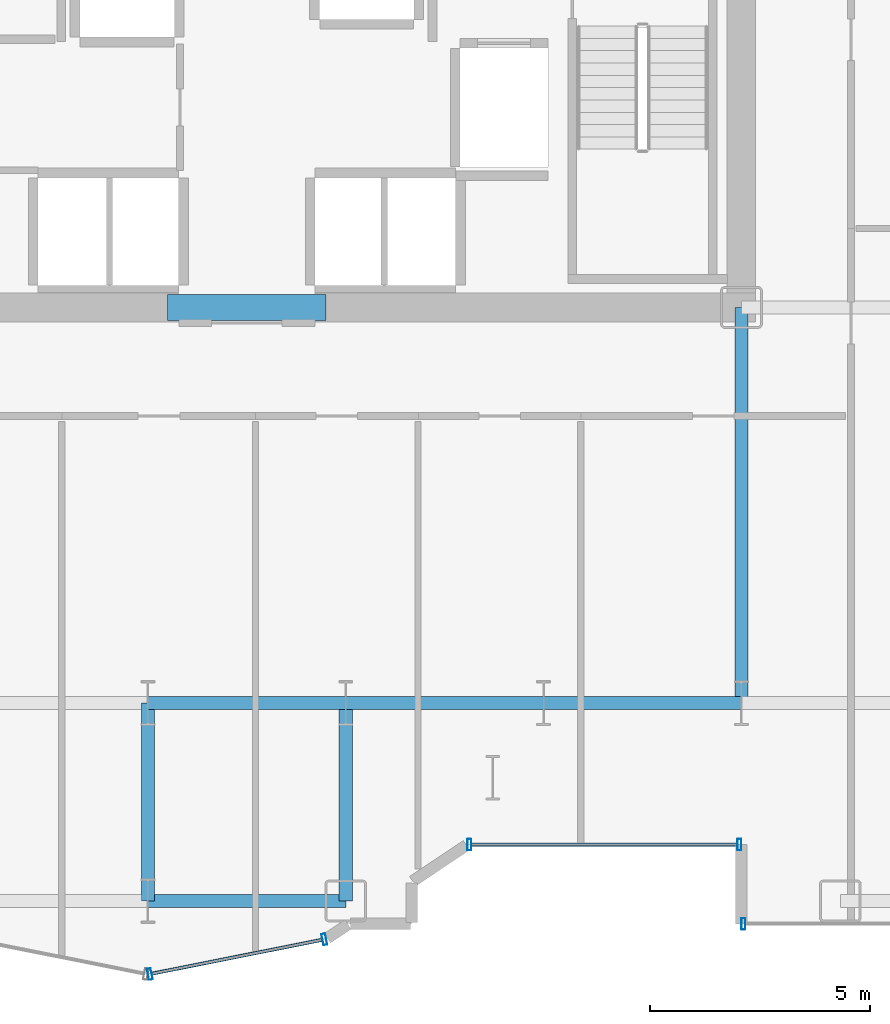
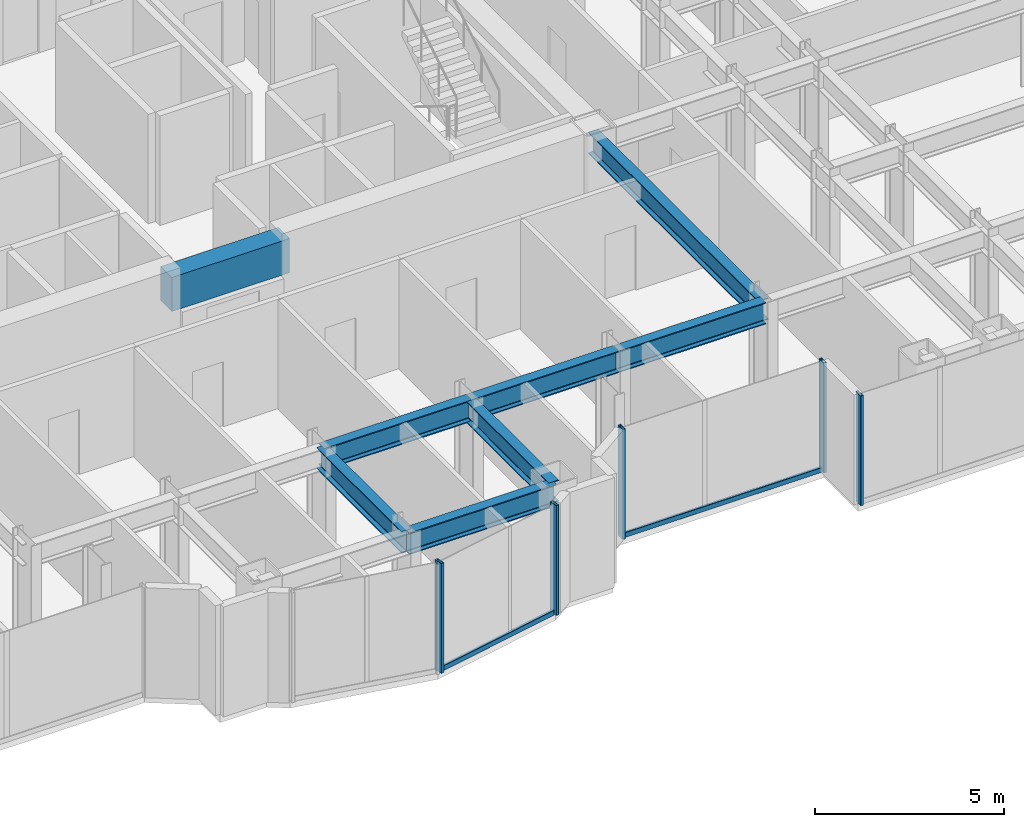
# One storey, part 6 of 27: 8 beams, 7 members, 3 elements without a shape of their own.
"""IFC4 building model written with IfcOpenShell, lengths in metres."""

from ifc_helpers import new_model, si_unit, direction, frame, origin, origin_2d, place, context, subcontext, project, spatial, rectangle, hollow_rectangle, i_section, extrude, source, transform, mapped, material, layer, layer_set, material_profile, profile_set, type_object, element, aggregate, save


model = new_model("IFC4")

# Units and contexts
model_context = context("Model", 3, precision=1e-05, world=origin(), true_north=direction((0.0, 1.0)))
body_context = subcontext(model_context, "Body", "Model", "MODEL_VIEW")
ifc_project = project(units=[si_unit("LENGTHUNIT", "METRE"), si_unit("AREAUNIT", "SQUARE_METRE"), si_unit("VOLUMEUNIT", "CUBIC_METRE"), si_unit("PLANEANGLEUNIT", "RADIAN"), si_unit("MASSUNIT", "GRAM", prefix="KILO")], contexts=[model_context])

# Site, building, storey
site_placement = place(None, origin())
site = spatial("IfcSite", under=ifc_project, at=site_placement, CompositionType="ELEMENT")
building_placement = place(site_placement, origin())
building = spatial("IfcBuilding", under=site, at=building_placement, Name="Nefas-Gora Pilgrimage Tower", CompositionType="ELEMENT")
storey_placement = place(building_placement, frame((0.0, 0.0, 48.199951171875)))
storey = spatial("IfcBuildingStorey", under=building, at=storey_placement, Name="L10", CompositionType="ELEMENT", Elevation=48.199951171875)

# Beams
ifc_material_1 = material(Name="Concrete C60/75", Category="concrete")
ifc_material_profile_1 = material_profile(ifc_material_1, rectangle(XDim=0.60009765625, YDim=1.10009765625, at=origin_2d()), Name="RC 600x1100")
ifc_profile_set_1 = profile_set([ifc_material_profile_1], Name="Concrete C60/75")
beam_type_1 = type_object("IfcBeamType", Name="BM-LIN-RC1100", PredefinedType="LINTEL", material=ifc_profile_set_1)
shared_shape_1 = source(origin(), body_context, "Body", "SweptSolid", [
    extrude(rectangle(XDim=0.60009765625, YDim=1.10009765625, at=origin_2d()), origin(), (0.0, 0.0, 1.0), 3.60009765625),
])
beam_1_placement = place(storey_placement, frame((-1.800048828125, -9.0, 3.0), z_axis=(1.0, 0.0, 0.0), x_axis=(0.0, 1.0, 0.0)))
element("IfcBeam", 1, at=beam_1_placement, inside=storey, type_object=beam_type_1, Name="L10 Core Coupling Lintel Beam S", PredefinedType="LINTEL", context=body_context, shape_type="MappedRepresentation", body=[
    mapped(shared_shape_1, transform((0.0, 0.0, 0.0), x_axis=(1.0, 0.0, 0.0), y_axis=(0.0, 1.0, 0.0), z_axis=(0.0, 0.0, 1.0), scale=1.0)),
])
ifc_material_2 = material(Name="Steel S355", Category="steel")
ifc_material_profile_2 = material_profile(ifc_material_2, i_section(OverallWidth=0.300048828125, OverallDepth=0.699951171875, WebThickness=0.01708984375, FlangeThickness=0.031982421875, FilletRadius=0.027099609375, at=origin_2d()), Name="HEB 700")
ifc_profile_set_2 = profile_set([ifc_material_profile_2], Name="Steel S355")
beam_type_2 = type_object("IfcBeamType", Name="BM-GIR-HEB700", PredefinedType="BEAM", material=ifc_profile_set_2)
shared_shape_2 = source(origin(), body_context, "Body", "SweptSolid", [
    extrude(i_section(OverallWidth=0.300048828125, OverallDepth=0.699951171875, WebThickness=0.01708984375, FlangeThickness=0.031982421875, FilletRadius=0.027099609375, at=origin_2d()), origin(), (0.0, 0.0, 1.0), 9.0),
])
beam_2_placement = place(storey_placement, frame((11.25, -18.0, 3.199951171875), z_axis=(0.0, 1.0, 0.0), x_axis=(-1.0, 0.0, 0.0)))
element("IfcBeam", 2, at=beam_2_placement, inside=storey, type_object=beam_type_2, Name="L10 G-02 beam", PredefinedType="BEAM", context=body_context, shape_type="MappedRepresentation", body=[
    mapped(shared_shape_2, transform((0.0, 0.0, 0.0), x_axis=(1.0, 0.0, 0.0), y_axis=(0.0, 1.0, 0.0), z_axis=(0.0, 0.0, 1.0), scale=1.0)),
])
shared_shape_3 = source(origin(), body_context, "Body", "SweptSolid", [
    extrude(i_section(OverallWidth=0.300048828125, OverallDepth=0.699951171875, WebThickness=0.01708984375, FlangeThickness=0.031982421875, FilletRadius=0.027099609375, at=origin_2d()), origin(), (0.0, 0.0, 1.0), 4.5),
])
for number, where, z_axis, x_axis, name in (
    (3, (-2.25, -22.5, 3.199951171875), (0.0, 1.0, 0.0), (-1.0, 0.0, 0.0), "L10 G-02 beam"),
    (4, (-2.25, -22.5, 3.199951171875), (1.0, 0.0, 0.0), (0.0, 1.0, 0.0), "L10 G-02 beam"),
    (5, (-2.25, -18.0, 3.199951171875), (1.0, 0.0, 0.0), (0.0, 1.0, 0.0), "L10 G-02 beam"),
    (6, (2.25, -22.5, 3.199951171875), (0.0, 1.0, 0.0), (-1.0, 0.0, 0.0), "L10 G-02 beam"),
    (7, (2.25, -18.0, 3.199951171875), (1.0, 0.0, 0.0), (0.0, 1.0, 0.0), "L10 G-02 beam"),
    (8, (6.75, -18.0, 3.199951171875), (1.0, 0.0, 0.0), (0.0, 1.0, 0.0), "L10 G-02 beam"),
):
    element("IfcBeam", number, at=place(storey_placement, frame(where, z_axis=z_axis, x_axis=x_axis)), inside=storey, type_object=beam_type_2, Name=name, PredefinedType="BEAM", context=body_context, shape_type="MappedRepresentation", body=[
        mapped(shared_shape_3, transform((0.0, 0.0, 0.0), x_axis=(1.0, 0.0, 0.0), y_axis=(0.0, 1.0, 0.0), z_axis=(0.0, 0.0, 1.0), scale=1.0)),
    ])

# Curtain wall, members
ifc_material_3 = material(Name="Dark ceramic-fritted solar-control aluminium-glass curtain wall", Category="aluminium")
ifc_layer_1 = layer(ifc_material_3, 0.219970703125)
ifc_layer_set_1 = layer_set([ifc_layer_1], Name="Dark ceramic-fritted solar-control aluminium-glass curtain wall")
curtain_wall_type_1 = type_object("IfcCurtainWallType", Name="CW-SYS-5", PredefinedType="NOTDEFINED", material=ifc_layer_set_1)
curtain_wall_1_placement = place(storey_placement, origin())
curtain_wall_1 = element("IfcCurtainWall", 9, at=curtain_wall_1_placement, inside=storey, type_object=curtain_wall_type_1, Name="L10 Unitised Curtain Wall CW5", PredefinedType="NOTDEFINED")
ifc_material_4 = material(Name="Anodised architectural aluminium", Category="aluminium")
ifc_material_profile_3 = material_profile(ifc_material_4, hollow_rectangle(XDim=0.090087890625, YDim=0.260009765625, WallThickness=0.006103515625, InnerFilletRadius=0.006103515625, OuterFilletRadius=0.011962890625, at=origin_2d()), Name="ALU MULLION 90x260")
ifc_profile_set_3 = profile_set([ifc_material_profile_3], Name="Anodised architectural aluminium")
member_type_1 = type_object("IfcMemberType", Name="CWM-MUL-5", PredefinedType="MULLION", material=ifc_profile_set_3)
shared_shape_4 = source(origin(), body_context, "Body", "SweptSolid", [
    extrude(hollow_rectangle(XDim=0.090087890625, YDim=0.260009765625, WallThickness=0.006103515625, InnerFilletRadius=0.006103515625, OuterFilletRadius=0.011962890625, at=origin_2d()), origin(), (0.0, 0.0, 1.0), 3.550048828125),
])
member_1_placement = place(storey_placement, frame((5.06298828125, -21.219970703125, 0.0), z_axis=(0.0, 0.0, 1.0), x_axis=(1.0, 0.0, 0.0)))
member_1 = element("IfcMember", 10, at=member_1_placement, type_object=member_type_1, Name="CW5 Mullion 1", PredefinedType="MULLION", context=body_context, shape_type="MappedRepresentation", body=[
    mapped(shared_shape_4, transform((0.0, 0.0, 0.0), x_axis=(1.0, 0.0, 0.0), y_axis=(0.0, 1.0, 0.0), z_axis=(0.0, 0.0, 1.0), scale=1.0)),
])
member_2_placement = place(storey_placement, frame((11.205078125, -21.219970703125, 0.0), z_axis=(0.0, 0.0, 1.0), x_axis=(1.0, 0.0, 0.0)))
member_2 = element("IfcMember", 11, at=member_2_placement, type_object=member_type_1, Name="CW5 Mullion 2", PredefinedType="MULLION", context=body_context, shape_type="MappedRepresentation", body=[
    mapped(shared_shape_4, transform((0.0, 0.0, 0.0), x_axis=(1.0, 0.0, 0.0), y_axis=(0.0, 1.0, 0.0), z_axis=(0.0, 0.0, 1.0), scale=1.0)),
])

curtain_wall_2_placement = place(storey_placement, origin())
curtain_wall_2 = element("IfcCurtainWall", 12, at=curtain_wall_2_placement, inside=storey, type_object=curtain_wall_type_1, Name="L10 Unitised Curtain Wall CW5", PredefinedType="NOTDEFINED")
member_3_placement = place(storey_placement, frame((-2.205810546875, -24.16357421875, 0.0), z_axis=(0.0, 0.0, 1.0), x_axis=(0.980782896852, 0.195102304554, 0.0)))
member_3 = element("IfcMember", 13, at=member_3_placement, type_object=member_type_1, Name="CW5 Mullion 1", PredefinedType="MULLION", context=body_context, shape_type="MappedRepresentation", body=[
    mapped(shared_shape_4, transform((0.0, 0.0, 0.0), x_axis=(1.0, 0.0, 0.0), y_axis=(0.0, 1.0, 0.0), z_axis=(0.0, 0.0, 1.0), scale=1.0)),
])
member_4_placement = place(storey_placement, frame((1.76318359375, -23.3740234375, 0.0), z_axis=(0.0, 0.0, 1.0), x_axis=(0.980782896852, 0.195102304554, 0.0)))
member_4 = element("IfcMember", 14, at=member_4_placement, type_object=member_type_1, Name="CW5 Mullion 2", PredefinedType="MULLION", context=body_context, shape_type="MappedRepresentation", body=[
    mapped(shared_shape_4, transform((0.0, 0.0, 0.0), x_axis=(1.0, 0.0, 0.0), y_axis=(0.0, 1.0, 0.0), z_axis=(0.0, 0.0, 1.0), scale=1.0)),
])

# Member
ifc_material_profile_4 = material_profile(ifc_material_4, hollow_rectangle(XDim=0.080078125, YDim=0.159912109375, WallThickness=0.00439453125, InnerFilletRadius=0.00439453125, OuterFilletRadius=0.009033203125, at=origin_2d()), Name="ALU TRANSOM 80x160")
ifc_profile_set_4 = profile_set([ifc_material_profile_4], Name="Anodised architectural aluminium")
member_type_2 = type_object("IfcMemberType", Name="CWM-TRN-5", PredefinedType="USERDEFINED", material=ifc_profile_set_4)
shared_shape_5 = source(origin(), body_context, "Body", "SweptSolid", [
    extrude(hollow_rectangle(XDim=0.080078125, YDim=0.159912109375, WallThickness=0.00439453125, InnerFilletRadius=0.00439453125, OuterFilletRadius=0.009033203125, at=origin_2d()), origin(), (0.0, 0.0, 1.0), 6.052001953125),
])
member_5_placement = place(storey_placement, frame((5.10791015625, -21.219970703125, 0.050048828125), z_axis=(1.0, 0.0, 0.0), x_axis=(0.0, 1.0, 0.0)))
member_5 = element("IfcMember", 15, at=member_5_placement, type_object=member_type_2, Name="CW5 Spandrel Transom", ObjectType="TRANSOM", PredefinedType="USERDEFINED", context=body_context, shape_type="MappedRepresentation", body=[
    mapped(shared_shape_5, transform((0.0, 0.0, 0.0), x_axis=(1.0, 0.0, 0.0), y_axis=(0.0, 1.0, 0.0), z_axis=(0.0, 0.0, 1.0), scale=1.0)),
])

aggregate(curtain_wall_1, [member_1, member_2, member_5])

# Curtain wall, member
ifc_layer_2 = layer(ifc_material_3, 0.219970703125)
ifc_layer_set_2 = layer_set([ifc_layer_2], Name="Dark ceramic-fritted solar-control aluminium-glass curtain wall")
curtain_wall_type_2 = type_object("IfcCurtainWallType", Name="CW-SYS-2", PredefinedType="NOTDEFINED", material=ifc_layer_set_2)
curtain_wall_3_placement = place(storey_placement, origin())
curtain_wall_3 = element("IfcCurtainWall", 16, at=curtain_wall_3_placement, inside=storey, type_object=curtain_wall_type_2, Name="L10 Unitised Curtain Wall CW2", PredefinedType="NOTDEFINED")
ifc_material_profile_5 = material_profile(ifc_material_4, hollow_rectangle(XDim=0.090087890625, YDim=0.260009765625, WallThickness=0.006103515625, InnerFilletRadius=0.006103515625, OuterFilletRadius=0.011962890625, at=origin_2d()), Name="ALU MULLION 90x260")
ifc_profile_set_5 = profile_set([ifc_material_profile_5], Name="Anodised architectural aluminium")
member_type_3 = type_object("IfcMemberType", Name="CWM-MUL-2", PredefinedType="MULLION", material=ifc_profile_set_5)
shared_shape_6 = source(origin(), body_context, "Body", "SweptSolid", [
    extrude(hollow_rectangle(XDim=0.090087890625, YDim=0.260009765625, WallThickness=0.006103515625, InnerFilletRadius=0.006103515625, OuterFilletRadius=0.011962890625, at=origin_2d()), origin(), (0.0, 0.0, 1.0), 3.550048828125),
])
member_6_placement = place(storey_placement, frame((11.294921875, -23.02001953125, 0.0), z_axis=(0.0, 0.0, 1.0), x_axis=(1.0, 0.0, 0.0)))
member_6 = element("IfcMember", 17, at=member_6_placement, type_object=member_type_3, Name="CW2 Mullion 1", PredefinedType="MULLION", context=body_context, shape_type="MappedRepresentation", body=[
    mapped(shared_shape_6, transform((0.0, 0.0, 0.0), x_axis=(1.0, 0.0, 0.0), y_axis=(0.0, 1.0, 0.0), z_axis=(0.0, 0.0, 1.0), scale=1.0)),
])
aggregate(curtain_wall_3, [member_6])

# Member
shared_shape_7 = source(origin(), body_context, "Body", "SweptSolid", [
    extrude(hollow_rectangle(XDim=0.080078125, YDim=0.159912109375, WallThickness=0.00439453125, InnerFilletRadius=0.00439453125, OuterFilletRadius=0.009033203125, at=origin_2d()), origin(), (0.0, 0.0, 1.0), 3.95654296875),
])
member_7_placement = place(storey_placement, frame((-2.16162109375, -24.15478515625, 0.050048828125), z_axis=(0.980781880918, 0.195107411605, 0.0), x_axis=(-0.195107411605, 0.980781880918, 0.0)))
member_7 = element("IfcMember", 18, at=member_7_placement, type_object=member_type_2, Name="CW5 Spandrel Transom", ObjectType="TRANSOM", PredefinedType="USERDEFINED", context=body_context, shape_type="MappedRepresentation", body=[
    mapped(shared_shape_7, transform((0.0, 0.0, 0.0), x_axis=(1.0, 0.0, 0.0), y_axis=(0.0, 1.0, 0.0), z_axis=(0.0, 0.0, 1.0), scale=1.0)),
])

aggregate(curtain_wall_2, [member_3, member_4, member_7])

save(model, "model.ifc")
